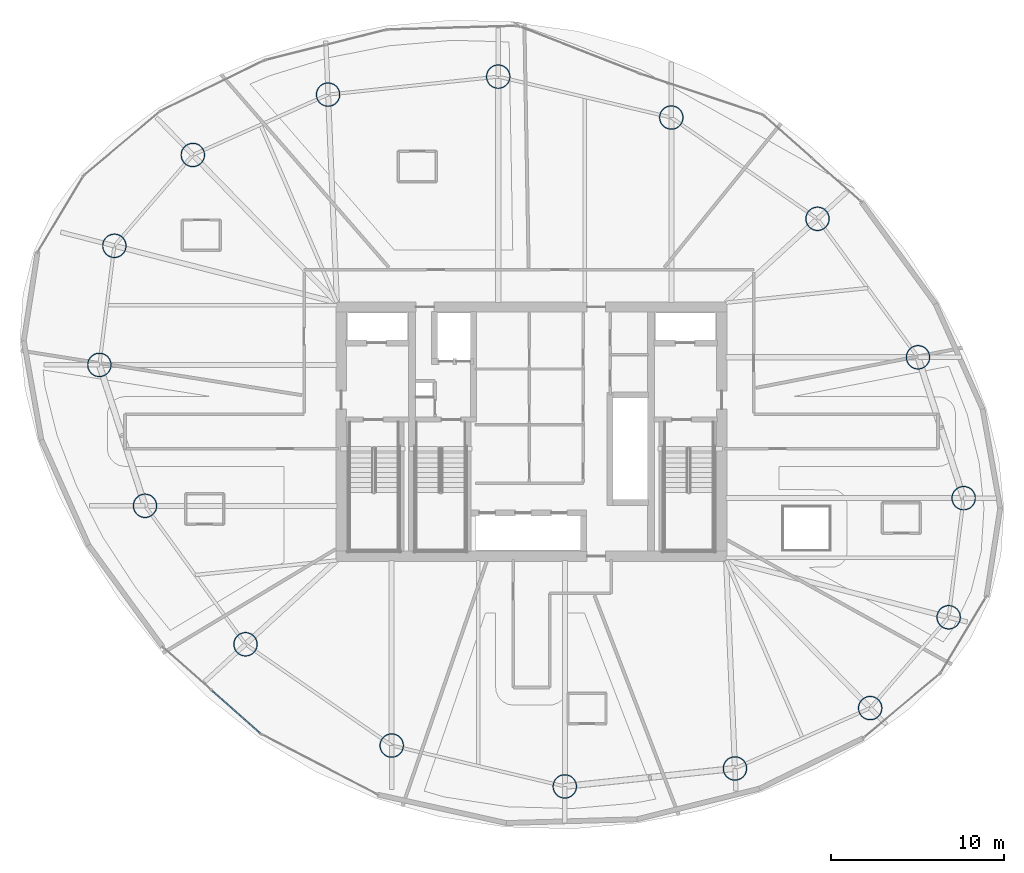
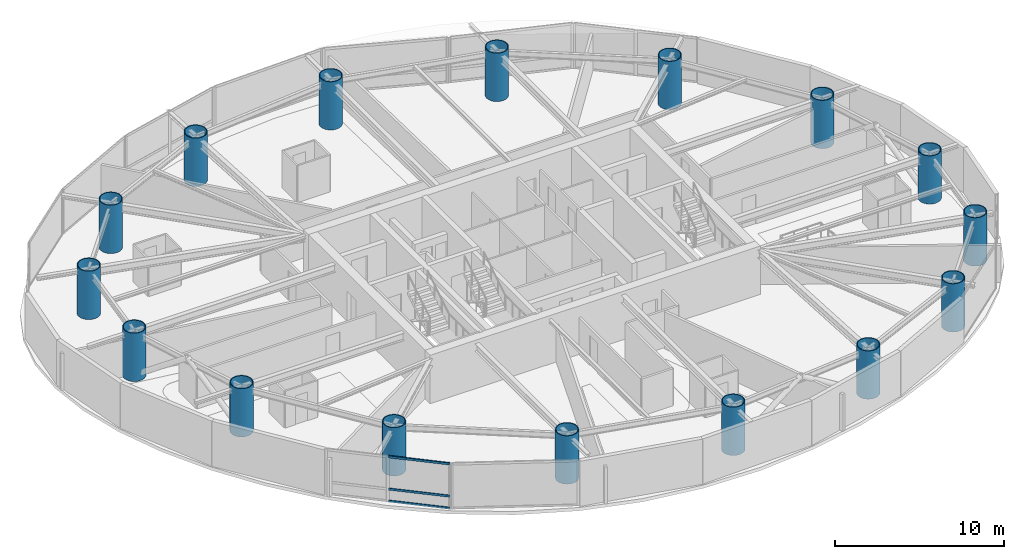
# One storey, part 1 of 20: 16 columns, 3 members, 1 element without a shape of its own.
"""IFC4 building model written with IfcOpenShell, lengths in metres."""

from ifc_helpers import new_model, si_unit, direction, frame, origin, origin_2d, place, context, subcontext, project, spatial, hollow_rectangle, hollow_circle, extrude, material, layer, layer_set, material_profile, profile_set, type_object, element, aggregate, save


model = new_model("IFC4")

# Units and contexts
model_context = context("Model", 3, precision=1e-05, world=origin(), true_north=direction((0.0, 1.0)))
body_context = subcontext(model_context, "Body", "Model", "MODEL_VIEW")
ifc_project = project(units=[si_unit("LENGTHUNIT", "METRE"), si_unit("AREAUNIT", "SQUARE_METRE"), si_unit("VOLUMEUNIT", "CUBIC_METRE"), si_unit("PLANEANGLEUNIT", "RADIAN"), si_unit("MASSUNIT", "GRAM", prefix="KILO")], contexts=[model_context])

# Site, building, storey
site_placement = place(None, origin())
site = spatial("IfcSite", under=ifc_project, at=site_placement, CompositionType="ELEMENT")
building_placement = place(site_placement, origin())
building = spatial("IfcBuilding", under=site, at=building_placement, Name="Bramvorn Convention Spire", CompositionType="ELEMENT")
storey_placement = place(building_placement, frame((0.0, 0.0, 113.300048828125)))
storey = spatial("IfcBuildingStorey", under=building, at=storey_placement, Name="L27", CompositionType="ELEMENT", Elevation=113.300048828125)

# Columns
ifc_material_1 = material(Name="Steel CSA G40.21 Grade 350 (350W)", Category="steel")
ifc_material_profile_1 = material_profile(ifc_material_1, hollow_circle(Radius=0.699951171875, WallThickness=0.054931640625, at=origin_2d()))
ifc_profile_set_1 = profile_set([ifc_material_profile_1], Name="Steel CSA G40.21 Grade 350 (350W) - CFT1400X55")
column_type = type_object("IfcColumnType", Name="COL-CFT1400X55", PredefinedType="COLUMN", material=ifc_profile_set_1)
for number, where, z_axis, x_axis, name in (
    (1, (62.11767578125, 15.26220703125, 0.0), (0.0, 0.0, 1.0), (1.0, 0.0, 0.0), "L27 composite CFT mega-column MC01"),
    (2, (62.983642578125, 22.148193359375, 0.0), (0.0, 0.0, 1.0), (1.0, 0.0, 0.0), "L27 composite CFT mega-column MC02"),
    (3, (60.345703125, 30.293212890625, 0.0), (0.0, 0.0, 1.0), (1.0, 0.0, 0.0), "L27 composite CFT mega-column MC03"),
    (4, (54.534912109375, 38.299072265625, 0.0), (0.0, 0.0, 1.0), (1.0, 0.0, 0.0), "L27 composite CFT mega-column MC04"),
    (5, (46.082763671875, 44.154052734375, 0.0), (0.0, 0.0, 1.0), (1.0, 0.0, 0.0), "L27 composite CFT mega-column MC05"),
    (6, (36.075927734375, 46.517333984375, 0.0), (0.0, 0.0, 1.0), (1.0, 0.0, 0.0), "L27 composite CFT mega-column MC06"),
    (7, (26.23828125, 45.478759765625, 0.0), (0.0, 0.0, 1.0), (1.0, 0.0, 0.0), "L27 composite CFT mega-column MC07"),
    (8, (18.420166015625, 41.9892578125, 0.0), (0.0, 0.0, 1.0), (1.0, 0.0, 0.0), "L27 composite CFT mega-column MC08"),
    (9, (13.88232421875, 36.73779296875, 0.0), (0.0, 0.0, 1.0), (1.0, 0.0, 0.0), "L27 composite CFT mega-column MC09"),
    (10, (13.016357421875, 29.851806640625, 0.0), (0.0, 0.0, 1.0), (1.0, 0.0, 0.0), "L27 composite CFT mega-column MC10"),
    (11, (15.654296875, 21.706787109375, 0.0), (0.0, 0.0, 1.0), (1.0, 0.0, 0.0), "L27 composite CFT mega-column MC11"),
    (12, (21.465087890625, 13.700927734375, 0.0), (0.0, 0.0, 1.0), (1.0, 0.0, 0.0), "L27 composite CFT mega-column MC12"),
    (13, (29.917236328125, 7.845947265625, 0.0), (0.0, 0.0, 1.0), (1.0, 0.0, 0.0), "L27 composite CFT mega-column MC13"),
    (14, (39.924072265625, 5.482666015625, 0.0), (0.0, 0.0, 1.0), (1.0, 0.0, 0.0), "L27 composite CFT mega-column MC14"),
    (15, (49.76171875, 6.521240234375, 0.0), (0.0, 0.0, 1.0), (1.0, 0.0, 0.0), "L27 composite CFT mega-column MC15"),
    (16, (57.579833984375, 10.0107421875, 0.0), (0.0, 0.0, 1.0), (1.0, 0.0, 0.0), "L27 composite CFT mega-column MC16"),
):
    element("IfcColumn", number, at=place(storey_placement, frame(where, z_axis=z_axis, x_axis=x_axis)), inside=storey, type_object=column_type, Name=name, PredefinedType="COLUMN", context=body_context, shape_type="SweptSolid", body=[
        extrude(hollow_circle(Radius=0.699951171875, WallThickness=0.054931640625, at=origin_2d()), origin(), (0.0, 0.0, 1.0), 3.5),
    ])

# Curtain wall, members
ifc_material_2 = material(Name="Anodised Bronze Unitised Curtain Wall", Category="aluminium")
ifc_layer = layer(ifc_material_2, 0.179931640625)
ifc_layer_set = layer_set([ifc_layer], Name="Anodised Bronze Unitised Curtain Wall - CW-HTL-FRIT")
curtain_wall_type = type_object("IfcCurtainWallType", Name="CW-HTL-FRIT", PredefinedType="USERDEFINED", material=ifc_layer_set)
curtain_wall_placement = place(storey_placement, origin())
curtain_wall = element("IfcCurtainWall", 17, at=curtain_wall_placement, inside=storey, type_object=curtain_wall_type, Name="L27 fritted glass curtain wall 17", ObjectType="UNITISED CURTAIN WALL", PredefinedType="USERDEFINED")
ifc_material_3 = material(Name="Anodised Bronze Aluminium 6063-T6", Category="aluminium")
ifc_material_profile_2 = material_profile(ifc_material_3, hollow_rectangle(XDim=0.080078125, YDim=0.159912109375, WallThickness=0.00390625, InnerFilletRadius=0.0009765625, OuterFilletRadius=0.00390625, at=origin_2d()))
ifc_profile_set_2 = profile_set([ifc_material_profile_2], Name="Anodised Bronze Aluminium 6063-T6 - CWT80X160")
member_type = type_object("IfcMemberType", Name="CW-TRN-150", PredefinedType="USERDEFINED", material=ifc_profile_set_2)
member_1_placement = place(storey_placement, frame((22.29931640625, 8.560302734375, 0.030029296875), z_axis=(-0.748411045959, 0.663235181732, 0.0), x_axis=(-0.663235181732, -0.748411045959, 0.0)))
member_1 = element("IfcMember", 18, at=member_1_placement, type_object=member_type, Name="CW2 transom 1.1", ObjectType="TRANSOM", PredefinedType="USERDEFINED", context=body_context, shape_type="SweptSolid", body=[
    extrude(hollow_rectangle(XDim=0.080078125, YDim=0.159912109375, WallThickness=0.00390625, InnerFilletRadius=0.0009765625, OuterFilletRadius=0.00390625, at=origin_2d()), origin(), (0.0, 0.0, 1.0), 3.694580078125),
])
member_2_placement = place(storey_placement, frame((22.29931640625, 8.560302734375, 0.89990234375), z_axis=(-0.748411045959, 0.663235181732, 0.0), x_axis=(-0.663235181732, -0.748411045959, 0.0)))
member_2 = element("IfcMember", 19, at=member_2_placement, type_object=member_type, Name="CW2 transom 1.2", ObjectType="TRANSOM", PredefinedType="USERDEFINED", context=body_context, shape_type="SweptSolid", body=[
    extrude(hollow_rectangle(XDim=0.080078125, YDim=0.159912109375, WallThickness=0.00390625, InnerFilletRadius=0.0009765625, OuterFilletRadius=0.00390625, at=origin_2d()), origin(), (0.0, 0.0, 1.0), 3.694580078125),
])
member_3_placement = place(storey_placement, frame((22.29931640625, 8.560302734375, 3.22998046875), z_axis=(-0.748411045959, 0.663235181732, 0.0), x_axis=(-0.663235181732, -0.748411045959, 0.0)))
member_3 = element("IfcMember", 20, at=member_3_placement, type_object=member_type, Name="CW2 transom 1.3", ObjectType="TRANSOM", PredefinedType="USERDEFINED", context=body_context, shape_type="SweptSolid", body=[
    extrude(hollow_rectangle(XDim=0.080078125, YDim=0.159912109375, WallThickness=0.00390625, InnerFilletRadius=0.0009765625, OuterFilletRadius=0.00390625, at=origin_2d()), origin(), (0.0, 0.0, 1.0), 3.694580078125),
])
aggregate(curtain_wall, [member_1, member_2, member_3])

save(model, "model.ifc")
